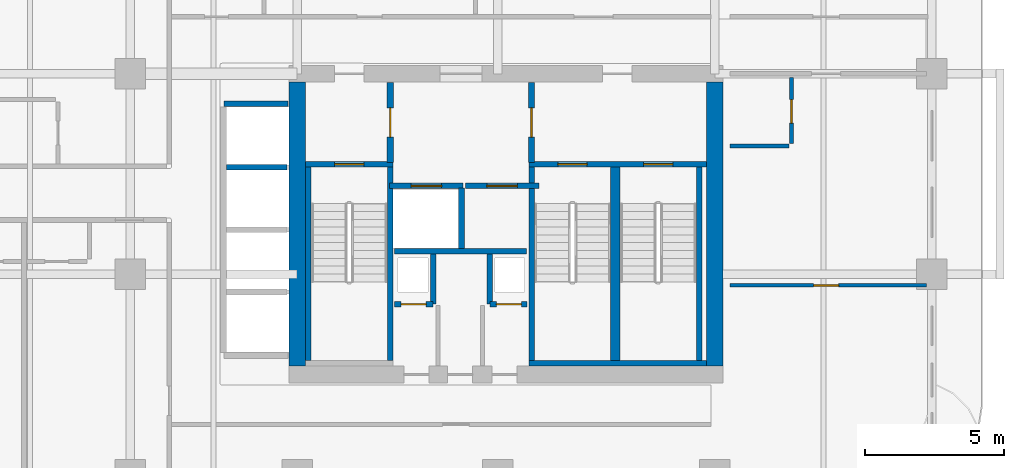
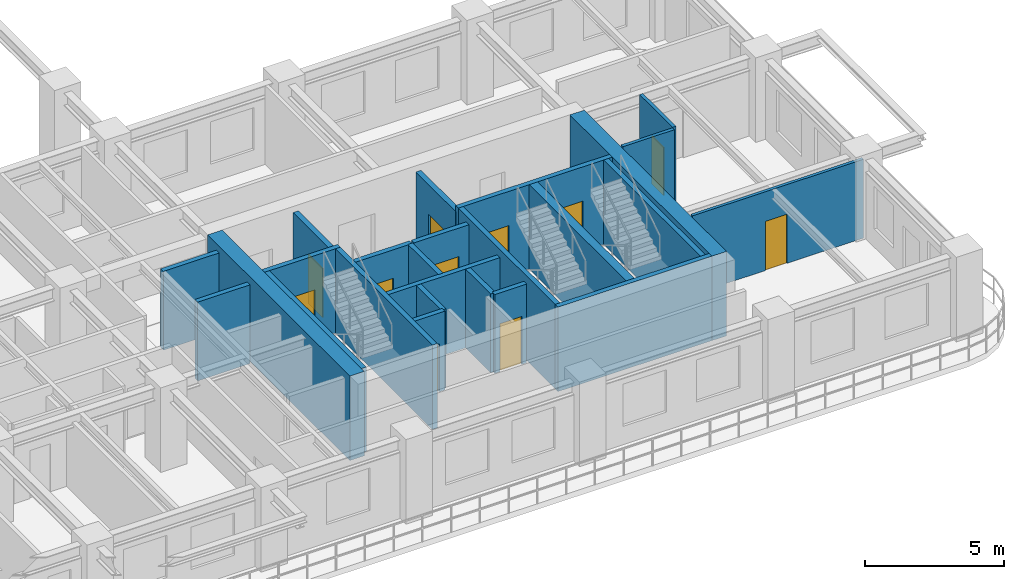
# One storey, part 8 of 18: 25 walls, 11 doors, 11 openings.
"""IFC4 building model written with IfcOpenShell, lengths in metres."""

from ifc_helpers import new_model, si_unit, derived_unit, direction, frame, frame_2d, origin, place, context, subcontext, project, spatial, rectangle, extrude, source, transform, mapped, material, layer, layer_set, type_object, type_shapes, element, fill, save


model = new_model("IFC4")

# Units and contexts
model_context = context("Model", 3, precision=1e-05, world=origin(), true_north=direction((0.0, 1.0)))
body_context = subcontext(model_context, "Body", "Model", "MODEL_VIEW")
ifc_project = project(units=[si_unit("LENGTHUNIT", "METRE"), si_unit("AREAUNIT", "SQUARE_METRE"), si_unit("VOLUMEUNIT", "CUBIC_METRE"), si_unit("PLANEANGLEUNIT", "RADIAN"), si_unit("MASSUNIT", "GRAM", prefix="KILO"), si_unit("THERMODYNAMICTEMPERATUREUNIT", "KELVIN"), si_unit("POWERUNIT", "WATT"), derived_unit("THERMALTRANSMITTANCEUNIT", [(si_unit("POWERUNIT", "WATT"), 1), (si_unit("AREAUNIT", "SQUARE_METRE"), -1), (si_unit("THERMODYNAMICTEMPERATUREUNIT", "KELVIN"), -1)])], contexts=[model_context])

# Site, building, storey
site_placement = place(None, origin())
site = spatial("IfcSite", under=ifc_project, at=site_placement, CompositionType="ELEMENT")
building_placement = place(site_placement, origin())
building = spatial("IfcBuilding", under=site, at=building_placement, Name="Zahravan Archway Hotel and Residences", CompositionType="ELEMENT")
storey_placement = place(building_placement, frame((0.0, 0.0, 36.10009765625)))
storey = spatial("IfcBuildingStorey", under=building, at=storey_placement, Name="L07", CompositionType="ELEMENT", Elevation=36.10009765625)

# Walls
ifc_material_1 = material(Name="Concrete C70/85", Category="concrete")
ifc_layer_1 = layer(ifc_material_1, 0.60009765625, Name="Concrete C70/85", Category="concrete")
ifc_layer_set_1 = layer_set([ifc_layer_1], Name="Concrete C70/85")
wall_type_1 = type_object("IfcWallType", Name="CW-CORE-600", PredefinedType="SHEAR", material=ifc_layer_set_1)
for number, where, z_axis, x_axis, name in (
    (1, (34.800048828125, 3.89990234375, 0.0), (0.0, 0.0, 1.0), (0.0, 1.0, 0.0), "L07 Core A Shear W Wall 600 mm"),
    (2, (49.800048828125, 3.89990234375, 0.0), (0.0, 0.0, 1.0), (0.0, 1.0, 0.0), "L07 Core A Shear E Wall 600 mm"),
):
    element("IfcWall", number, at=place(storey_placement, frame(where, z_axis=z_axis, x_axis=x_axis)), inside=storey, type_object=wall_type_1, Name=name, PredefinedType="SHEAR", context=body_context, shape_type="SweptSolid", body=[
        extrude(rectangle(XDim=10.2001953125, YDim=0.60009765625, at=frame_2d((5.10009765625, 0.0))), origin(), (0.0, 0.0, 1.0), 3.699951171875),
    ])

# Wall, opening, door
ifc_material_2 = material(Name="Fire-Rated Gypsum & Concrete Block", Category="concrete")
ifc_layer_2 = layer(ifc_material_2, 0.219970703125, Name="Fire-Rated Gypsum & Concrete Block", Category="concrete")
ifc_layer_set_2 = layer_set([ifc_layer_2], Name="Fire-Rated Gypsum & Concrete Block")
wall_type_2 = type_object("IfcWallType", Name="PW-COMP-220", PredefinedType="PARTITIONING", material=ifc_layer_set_2)
wall_1_placement = place(storey_placement, frame((38.139892578125, 11.219970703125, 0.0), z_axis=(0.0, 0.0, 1.0), x_axis=(0.0, 1.0, 0.0)))
wall_1 = element("IfcWall", 3, at=wall_1_placement, inside=storey, type_object=wall_type_2, Name="L07 Partition CA-LOBW", PredefinedType="PARTITIONING", context=body_context, shape_type="SweptSolid", body=[
    extrude(rectangle(XDim=2.860107421875, YDim=0.219970703125, at=frame_2d((1.43017578125, 0.0))), origin(), (0.0, 0.0, 1.0), 3.449951171875),
])
opening_1_placement = place(wall_1_placement, frame((0.905029296875, 0.0, 0.0)))
opening_1 = element("IfcOpeningElement", 4, at=opening_1_placement, cuts=wall_1, Name="Opening FD-L2", PredefinedType="OPENING", context=body_context, shape_type="SweptSolid", body=[
    extrude(rectangle(XDim=1.050048828125, YDim=2.14990234375, at=frame_2d((0.52490234375, 1.074951171875))), frame((0.0, 0.1201171875, 0.0), z_axis=(0.0, -1.0, 0.0), x_axis=(1.0, 0.0, 0.0)), (0.0, 0.0, 1.0), 0.239990234375),
])
ifc_material_3 = material(Name="Fire-Rated Painted Steel", Category="steel")
door_type_1 = type_object("IfcDoorType", Name="FD-LOBBY-1100", OperationType="NOTDEFINED", PredefinedType="DOOR", material=ifc_material_3)
shared_shape_1 = source(origin(), body_context, "Body", "SweptSolid", [
    extrude(rectangle(XDim=1.050048828125, YDim=2.14990234375, at=frame_2d((0.52490234375, 1.074951171875))), frame((0.0, 0.02490234375, 0.0), z_axis=(0.0, -1.0, 0.0), x_axis=(1.0, 0.0, 0.0)), (0.0, 0.0, 1.0), 0.050048828125),
])
type_shapes(door_type_1, [shared_shape_1])
door_1_placement = place(opening_1_placement, origin())
door_1 = element("IfcDoor", 5, at=door_1_placement, inside=storey, type_object=door_type_1, Name="L07 Core A West Stair to FSAE Lobby Door", OperationType="SINGLE_SWING_LEFT", OverallHeight=2.14990234375, OverallWidth=1.050048828125, PredefinedType="DOOR", context=body_context, shape_type="MappedRepresentation", body=[
    mapped(shared_shape_1, transform((0.0, 0.0, 0.0), scale=1.0)),
])
fill(opening_1, door_1)

wall_2_placement = place(storey_placement, frame((43.219970703125, 11.219970703125, 0.0), z_axis=(0.0, 0.0, 1.0), x_axis=(0.0, 1.0, 0.0)))
wall_2 = element("IfcWall", 6, at=wall_2_placement, inside=storey, type_object=wall_type_2, Name="L07 Partition CA-LOBE", PredefinedType="PARTITIONING", context=body_context, shape_type="SweptSolid", body=[
    extrude(rectangle(XDim=2.860107421875, YDim=0.219970703125, at=frame_2d((1.43017578125, 0.0))), origin(), (0.0, 0.0, 1.0), 3.449951171875),
])
opening_2_placement = place(wall_2_placement, frame((0.905029296875, 0.0, 0.0)))
opening_2 = element("IfcOpeningElement", 7, at=opening_2_placement, cuts=wall_2, Name="Opening FD-L2", PredefinedType="OPENING", context=body_context, shape_type="SweptSolid", body=[
    extrude(rectangle(XDim=1.050048828125, YDim=2.14990234375, at=frame_2d((0.52490234375, 1.074951171875))), frame((0.0, 0.1201171875, 0.0), z_axis=(0.0, -1.0, 0.0), x_axis=(1.0, 0.0, 0.0)), (0.0, 0.0, 1.0), 0.239990234375),
])
door_2_placement = place(opening_2_placement, origin())
door_2 = element("IfcDoor", 8, at=door_2_placement, inside=storey, type_object=door_type_1, Name="L07 Core A East Stair to FSAE Lobby Door", OperationType="SINGLE_SWING_RIGHT", OverallHeight=2.14990234375, OverallWidth=1.050048828125, PredefinedType="DOOR", context=body_context, shape_type="MappedRepresentation", body=[
    mapped(shared_shape_1, transform((0.0, 0.0, 0.0), scale=1.0)),
])
fill(opening_2, door_2)

ifc_material_4 = material(Name="Acoustic Stud Partition")
ifc_layer_3 = layer(ifc_material_4, 0.125, Name="Acoustic Stud Partition")
ifc_layer_set_3 = layer_set([ifc_layer_3], Name="Acoustic Stud Partition")
wall_type_3 = type_object("IfcWallType", Name="PW-INT-125", PredefinedType="PARTITIONING", material=ifc_layer_set_3)
wall_3_placement = place(storey_placement, frame((50.340087890625, 6.800048828125, 0.0), z_axis=(0.0, 0.0, 1.0), x_axis=(1.0, 0.0, 0.0)))
wall_3 = element("IfcWall", 9, at=wall_3_placement, inside=storey, type_object=wall_type_3, Name="L07 Partition EA-PM", PredefinedType="PARTITIONING", context=body_context, shape_type="SweptSolid", body=[
    extrude(rectangle(XDim=7.06982421875, YDim=0.125, at=frame_2d((3.534912109375, 0.0))), origin(), (0.0, 0.0, 1.0), 3.449951171875),
])
opening_3_placement = place(wall_3_placement, frame((3.010009765625, 0.0, 0.0)))
opening_3 = element("IfcOpeningElement", 10, at=opening_3_placement, cuts=wall_3, Name="Opening D-I2", PredefinedType="OPENING", context=body_context, shape_type="SweptSolid", body=[
    extrude(rectangle(XDim=0.89990234375, YDim=2.14990234375, at=frame_2d((0.449951171875, 1.074951171875))), frame((0.0, 0.072509765625, 0.0), z_axis=(0.0, -1.0, 0.0), x_axis=(1.0, 0.0, 0.0)), (0.0, 0.0, 1.0), 0.14501953125),
])
ifc_material_5 = material(Name="Hardwood Veneer Timber", Category="wood")
door_type_2 = type_object("IfcDoorType", Name="ID-INT-900", OperationType="NOTDEFINED", PredefinedType="DOOR", material=ifc_material_5)
shared_shape_2 = source(origin(), body_context, "Body", "SweptSolid", [
    extrude(rectangle(XDim=0.89990234375, YDim=2.14990234375, at=frame_2d((0.449951171875, 1.074951171875))), frame((0.0, 0.02490234375, 0.0), z_axis=(0.0, -1.0, 0.0), x_axis=(1.0, 0.0, 0.0)), (0.0, 0.0, 1.0), 0.050048828125),
])
type_shapes(door_type_2, [shared_shape_2])
door_3_placement = place(opening_3_placement, origin())
door_3 = element("IfcDoor", 11, at=door_3_placement, inside=storey, type_object=door_type_2, Name="L07 East Suite Bedroom Door", OperationType="SINGLE_SWING_RIGHT", OverallHeight=2.14990234375, OverallWidth=0.89990234375, PredefinedType="DOOR", context=body_context, shape_type="MappedRepresentation", body=[
    mapped(shared_shape_2, transform((0.0, 0.0, 0.0), scale=1.0)),
])
fill(opening_3, door_3)

# Walls
ifc_layer_4 = layer(ifc_material_2, 0.199951171875, Name="Fire-Rated Gypsum & Concrete Block", Category="concrete")
ifc_layer_set_4 = layer_set([ifc_layer_4], Name="Fire-Rated Gypsum & Concrete Block")
wall_type_4 = type_object("IfcWallType", Name="PW-SHAFT-200", PredefinedType="PARTITIONING", material=ifc_layer_set_4)
wall_4_placement = place(storey_placement, frame((38.300048828125, 8.030029296875, 0.0), z_axis=(0.0, 0.0, 1.0), x_axis=(1.0, 0.0, 0.0)))
element("IfcWall", 12, at=wall_4_placement, inside=storey, type_object=wall_type_4, Name="L07 Partition CA-FLS", PredefinedType="PARTITIONING", context=body_context, shape_type="SweptSolid", body=[
    extrude(rectangle(XDim=4.739990234375, YDim=0.199951171875, at=frame_2d((2.3701171875, 0.0))), origin(), (0.0, 0.0, 1.0), 3.449951171875),
])
wall_5_placement = place(storey_placement, frame((40.699951171875, 8.1201171875, 0.0), z_axis=(0.0, 0.0, 1.0), x_axis=(0.0, 1.0, 0.0)))
element("IfcWall", 13, at=wall_5_placement, inside=storey, type_object=wall_type_4, Name="L07 Partition CA-FLM", PredefinedType="PARTITIONING", context=body_context, shape_type="SweptSolid", body=[
    extrude(rectangle(XDim=2.179931640625, YDim=0.199951171875, at=frame_2d((1.08984375, 0.0))), origin(), (0.0, 0.0, 1.0), 3.449951171875),
])

# Wall, opening, door
wall_6_placement = place(storey_placement, frame((38.2900390625, 6.1201171875, 0.0), z_axis=(0.0, 0.0, 1.0), x_axis=(1.0, 0.0, 0.0)))
wall_6 = element("IfcWall", 14, at=wall_6_placement, inside=storey, type_object=wall_type_4, Name="L07 Partition CA-SMKS", PredefinedType="PARTITIONING", context=body_context, shape_type="SweptSolid", body=[
    extrude(rectangle(XDim=1.3798828125, YDim=0.199951171875, at=frame_2d((0.68994140625, 0.0))), origin(), (0.0, 0.0, 1.0), 3.449951171875),
])
opening_4_placement = place(wall_6_placement, frame((0.239990234375, 0.0, 0.0)))
opening_4 = element("IfcOpeningElement", 15, at=opening_4_placement, cuts=wall_6, Name="Opening FD-R1", PredefinedType="OPENING", context=body_context, shape_type="SweptSolid", body=[
    extrude(rectangle(XDim=0.89990234375, YDim=2.10009765625, at=frame_2d((0.449951171875, 1.050048828125))), frame((0.0, 0.10986328125, 0.0), z_axis=(0.0, -1.0, 0.0), x_axis=(1.0, 0.0, 0.0)), (0.0, 0.0, 1.0), 0.219970703125),
])
door_type_3 = type_object("IfcDoorType", Name="FD-RISER-900", OperationType="NOTDEFINED", PredefinedType="DOOR", material=ifc_material_3)
shared_shape_3 = source(origin(), body_context, "Body", "SweptSolid", [
    extrude(rectangle(XDim=0.89990234375, YDim=2.10009765625, at=frame_2d((0.449951171875, 1.050048828125))), frame((0.0, 0.02490234375, 0.0), z_axis=(0.0, -1.0, 0.0), x_axis=(1.0, 0.0, 0.0)), (0.0, 0.0, 1.0), 0.050048828125),
])
type_shapes(door_type_3, [shared_shape_3])
door_4_placement = place(opening_4_placement, origin())
door_4 = element("IfcDoor", 16, at=door_4_placement, inside=storey, type_object=door_type_3, Name="L07 Smoke Riser Access Door", OperationType="SINGLE_SWING_LEFT", OverallHeight=2.10009765625, OverallWidth=0.89990234375, PredefinedType="DOOR", context=body_context, shape_type="MappedRepresentation", body=[
    mapped(shared_shape_3, transform((0.0, 0.0, 0.0), scale=1.0)),
])
fill(opening_4, door_4)

# Wall
wall_7_placement = place(storey_placement, frame((39.679931640625, 6.1298828125, 0.0), z_axis=(0.0, 0.0, 1.0), x_axis=(0.0, 1.0, 0.0)))
element("IfcWall", 17, at=wall_7_placement, inside=storey, type_object=wall_type_4, Name="L07 Partition CA-SMKE", PredefinedType="PARTITIONING", context=body_context, shape_type="SweptSolid", body=[
    extrude(rectangle(XDim=1.7900390625, YDim=0.199951171875, at=frame_2d((0.89501953125, 0.0))), origin(), (0.0, 0.0, 1.0), 3.449951171875),
])

# Wall, opening, door
wall_8_placement = place(storey_placement, frame((41.72998046875, 6.1201171875, 0.0), z_axis=(0.0, 0.0, 1.0), x_axis=(1.0, 0.0, 0.0)))
wall_8 = element("IfcWall", 18, at=wall_8_placement, inside=storey, type_object=wall_type_4, Name="L07 Partition CA-MEPS", PredefinedType="PARTITIONING", context=body_context, shape_type="SweptSolid", body=[
    extrude(rectangle(XDim=1.320068359375, YDim=0.199951171875, at=frame_2d((0.66015625, 0.0))), origin(), (0.0, 0.0, 1.0), 3.449951171875),
])
opening_5_placement = place(wall_8_placement, frame((0.219970703125, 0.0, 0.0)))
opening_5 = element("IfcOpeningElement", 19, at=opening_5_placement, cuts=wall_8, Name="Opening FD-R1", PredefinedType="OPENING", context=body_context, shape_type="SweptSolid", body=[
    extrude(rectangle(XDim=0.89990234375, YDim=2.10009765625, at=frame_2d((0.449951171875, 1.050048828125))), frame((0.0, 0.10986328125, 0.0), z_axis=(0.0, -1.0, 0.0), x_axis=(1.0, 0.0, 0.0)), (0.0, 0.0, 1.0), 0.219970703125),
])
door_5_placement = place(opening_5_placement, origin())
door_5 = element("IfcDoor", 20, at=door_5_placement, inside=storey, type_object=door_type_3, Name="L07 MEP Riser Access Door", OperationType="SINGLE_SWING_RIGHT", OverallHeight=2.10009765625, OverallWidth=0.89990234375, PredefinedType="DOOR", context=body_context, shape_type="MappedRepresentation", body=[
    mapped(shared_shape_3, transform((0.0, 0.0, 0.0), scale=1.0)),
])
fill(opening_5, door_5)

# Walls
wall_9_placement = place(storey_placement, frame((41.719970703125, 6.1298828125, 0.0), z_axis=(0.0, 0.0, 1.0), x_axis=(0.0, 1.0, 0.0)))
element("IfcWall", 21, at=wall_9_placement, inside=storey, type_object=wall_type_4, Name="L07 Partition CA-MEPW", PredefinedType="PARTITIONING", context=body_context, shape_type="SweptSolid", body=[
    extrude(rectangle(XDim=1.7900390625, YDim=0.199951171875, at=frame_2d((0.89501953125, 0.0))), origin(), (0.0, 0.0, 1.0), 3.449951171875),
])
wall_10_placement = place(storey_placement, frame((32.159912109375, 13.320068359375, 0.0), z_axis=(0.0, 0.0, 1.0), x_axis=(1.0, 0.0, 0.0)))
element("IfcWall", 22, at=wall_10_placement, inside=storey, type_object=wall_type_4, Name="L07 Partition B3-N", PredefinedType="PARTITIONING", context=body_context, shape_type="SweptSolid", body=[
    extrude(rectangle(XDim=2.31005859375, YDim=0.199951171875, at=frame_2d((1.155029296875, 0.0))), origin(), (0.0, 0.0, 1.0), 3.449951171875),
])
wall_11_placement = place(storey_placement, frame((32.260009765625, 11.0400390625, 0.0), z_axis=(0.0, 0.0, 1.0), x_axis=(1.0, 0.0, 0.0)))
element("IfcWall", 23, at=wall_11_placement, inside=storey, type_object=wall_type_4, Name="L07 Partition B3-D", PredefinedType="PARTITIONING", context=body_context, shape_type="SweptSolid", body=[
    extrude(rectangle(XDim=2.179931640625, YDim=0.199951171875, at=frame_2d((1.08984375, 0.0))), origin(), (0.0, 0.0, 1.0), 3.449951171875),
])

# Wall, opening, door
wall_12_placement = place(storey_placement, frame((38.1201171875, 10.3701171875, 0.0), z_axis=(0.0, 0.0, 1.0), x_axis=(1.0, 0.0, 0.0)))
wall_12 = element("IfcWall", 24, at=wall_12_placement, inside=storey, type_object=wall_type_4, Name="L07 Lift FL-1 Front Wall", PredefinedType="PARTITIONING", context=body_context, shape_type="SweptSolid", body=[
    extrude(rectangle(XDim=2.639892578125, YDim=0.199951171875, at=frame_2d((1.31982421875, 0.0))), origin(), (0.0, 0.0, 1.0), 3.449951171875),
])
opening_6_placement = place(wall_12_placement, frame((0.77001953125, 0.0, 0.0)))
opening_6 = element("IfcOpeningElement", 25, at=opening_6_placement, cuts=wall_12, Name="Opening LD", PredefinedType="OPENING", context=body_context, shape_type="SweptSolid", body=[
    extrude(rectangle(XDim=1.10009765625, YDim=2.199951171875, at=frame_2d((0.550048828125, 1.10009765625))), frame((0.0, 0.10986328125, 0.0), z_axis=(0.0, -1.0, 0.0), x_axis=(1.0, 0.0, 0.0)), (0.0, 0.0, 1.0), 0.219970703125),
])
ifc_material_6 = material(Name="Brushed Stainless Steel", Category="steel")
door_type_4 = type_object("IfcDoorType", Name="DR-LIFT-LD", OperationType="SLIDING_TO_LEFT", PredefinedType="DOOR", material=ifc_material_6)
shared_shape_4 = source(origin(), body_context, "Body", "SweptSolid", [
    extrude(rectangle(XDim=1.10009765625, YDim=2.199951171875, at=frame_2d((0.550048828125, 1.10009765625))), frame((0.0, 0.02490234375, 0.0), z_axis=(0.0, -1.0, 0.0), x_axis=(1.0, 0.0, 0.0)), (0.0, 0.0, 1.0), 0.050048828125),
])
type_shapes(door_type_4, [shared_shape_4])
door_6_placement = place(opening_6_placement, origin())
door_6 = element("IfcDoor", 26, at=door_6_placement, inside=storey, type_object=door_type_4, Name="L07 Lift FL-1 Sliding Landing Door", OperationType="SLIDING_TO_LEFT", OverallHeight=2.199951171875, OverallWidth=1.10009765625, PredefinedType="DOOR", context=body_context, shape_type="MappedRepresentation", body=[
    mapped(shared_shape_4, transform((0.0, 0.0, 0.0), scale=1.0)),
])
fill(opening_6, door_6)

wall_13_placement = place(storey_placement, frame((40.840087890625, 10.3701171875, 0.0), z_axis=(0.0, 0.0, 1.0), x_axis=(1.0, 0.0, 0.0)))
wall_13 = element("IfcWall", 27, at=wall_13_placement, inside=storey, type_object=wall_type_4, Name="L07 Lift FL-2 Front Wall", PredefinedType="PARTITIONING", context=body_context, shape_type="SweptSolid", body=[
    extrude(rectangle(XDim=2.639892578125, YDim=0.199951171875, at=frame_2d((1.31982421875, 0.0))), origin(), (0.0, 0.0, 1.0), 3.449951171875),
])
opening_7_placement = place(wall_13_placement, frame((0.77001953125, 0.0, 0.0)))
opening_7 = element("IfcOpeningElement", 28, at=opening_7_placement, cuts=wall_13, Name="Opening LD", PredefinedType="OPENING", context=body_context, shape_type="SweptSolid", body=[
    extrude(rectangle(XDim=1.10009765625, YDim=2.199951171875, at=frame_2d((0.550048828125, 1.10009765625))), frame((0.0, 0.10986328125, 0.0), z_axis=(0.0, -1.0, 0.0), x_axis=(1.0, 0.0, 0.0)), (0.0, 0.0, 1.0), 0.219970703125),
])
door_7_placement = place(opening_7_placement, origin())
door_7 = element("IfcDoor", 29, at=door_7_placement, inside=storey, type_object=door_type_4, Name="L07 Lift FL-2 Sliding Landing Door", OperationType="SLIDING_TO_LEFT", OverallHeight=2.199951171875, OverallWidth=1.10009765625, PredefinedType="DOOR", context=body_context, shape_type="MappedRepresentation", body=[
    mapped(shared_shape_4, transform((0.0, 0.0, 0.0), scale=1.0)),
])
fill(opening_7, door_7)

ifc_material_7 = material(Name="Moisture-Resistant Blockwork", Category="masonry")
ifc_layer_5 = layer(ifc_material_7, 0.139892578125, Name="Moisture-Resistant Blockwork", Category="masonry")
ifc_layer_set_5 = layer_set([ifc_layer_5], Name="Moisture-Resistant Blockwork")
wall_type_5 = type_object("IfcWallType", Name="PW-WET-140", PredefinedType="PARTITIONING", material=ifc_layer_set_5)
wall_14_placement = place(storey_placement, frame((52.550048828125, 11.889892578125, 0.0), z_axis=(0.0, 0.0, 1.0), x_axis=(0.0, 1.0, 0.0)))
wall_14 = element("IfcWall", 30, at=wall_14_placement, inside=storey, type_object=wall_type_5, Name="L07 Partition EA-PBV", PredefinedType="PARTITIONING", context=body_context, shape_type="SweptSolid", body=[
    extrude(rectangle(XDim=2.3701171875, YDim=0.139892578125, at=frame_2d((1.18505859375, 0.0))), origin(), (0.0, 0.0, 1.0), 3.449951171875),
])
opening_8_placement = place(wall_14_placement, frame((0.735107421875, 0.0, 0.0)))
opening_8 = element("IfcOpeningElement", 31, at=opening_8_placement, cuts=wall_14, Name="Opening D-B1", PredefinedType="OPENING", context=body_context, shape_type="SweptSolid", body=[
    extrude(rectangle(XDim=0.85009765625, YDim=2.10009765625, at=frame_2d((0.425048828125, 1.050048828125))), frame((0.0, 0.080078125, 0.0), z_axis=(0.0, -1.0, 0.0), x_axis=(1.0, 0.0, 0.0)), (0.0, 0.0, 1.0), 0.159912109375),
])
door_type_5 = type_object("IfcDoorType", Name="ID-BATH-850", OperationType="NOTDEFINED", PredefinedType="DOOR", material=ifc_material_5)
shared_shape_5 = source(origin(), body_context, "Body", "SweptSolid", [
    extrude(rectangle(XDim=0.85009765625, YDim=2.10009765625, at=frame_2d((0.425048828125, 1.050048828125))), frame((0.0, 0.02490234375, 0.0), z_axis=(0.0, -1.0, 0.0), x_axis=(1.0, 0.0, 0.0)), (0.0, 0.0, 1.0), 0.050048828125),
])
type_shapes(door_type_5, [shared_shape_5])
door_8_placement = place(opening_8_placement, origin())
door_8 = element("IfcDoor", 32, at=door_8_placement, inside=storey, type_object=door_type_5, Name="L07 East Suite En-Suite Door", OperationType="SINGLE_SWING_LEFT", OverallHeight=2.10009765625, OverallWidth=0.85009765625, PredefinedType="DOOR", context=body_context, shape_type="MappedRepresentation", body=[
    mapped(shared_shape_5, transform((0.0, 0.0, 0.0), scale=1.0)),
])
fill(opening_8, door_8)

# Walls
wall_15_placement = place(storey_placement, frame((50.340087890625, 11.800048828125, 0.0), z_axis=(0.0, 0.0, 1.0), x_axis=(1.0, 0.0, 0.0)))
element("IfcWall", 33, at=wall_15_placement, inside=storey, type_object=wall_type_5, Name="L07 Partition EA-PBH", PredefinedType="PARTITIONING", context=body_context, shape_type="SweptSolid", body=[
    extrude(rectangle(XDim=2.119873046875, YDim=0.139892578125, at=frame_2d((1.06005859375, 0.0))), origin(), (0.0, 0.0, 1.0), 3.449951171875),
])
ifc_material_8 = material(Name="Concrete C50/60", Category="concrete")
ifc_layer_6 = layer(ifc_material_8, 0.199951171875, Name="Concrete C50/60", Category="concrete")
ifc_layer_set_6 = layer_set([ifc_layer_6], Name="Concrete C50/60")
wall_type_6 = type_object("IfcWallType", Name="SW-STAIR-200", PredefinedType="SHEAR", material=ifc_layer_set_6)
for number, where, z_axis, x_axis, name in (
    (34, (35.199951171875, 4.10009765625, 0.0), (0.0, 0.0, 1.0), (0.0, 1.0, 0.0), "L07 Stairwell RC Wall CA-SA1W"),
    (35, (38.139892578125, 4.10009765625, 0.0), (0.0, 0.0, 1.0), (0.0, 1.0, 0.0), "L07 Stairwell RC Wall CA-SA1E"),
):
    element("IfcWall", number, at=place(storey_placement, frame(where, z_axis=z_axis, x_axis=x_axis)), inside=storey, type_object=wall_type_6, Name=name, PredefinedType="SHEAR", context=body_context, shape_type="SweptSolid", body=[
        extrude(rectangle(XDim=6.949951171875, YDim=0.199951171875, at=frame_2d((3.47509765625, 0.0))), origin(), (0.0, 0.0, 1.0), 3.699951171875),
    ])

# Wall, opening, door
wall_16_placement = place(storey_placement, frame((35.10009765625, 11.14990234375, 0.0), z_axis=(0.0, 0.0, 1.0), x_axis=(1.0, 0.0, 0.0)))
wall_16 = element("IfcWall", 36, at=wall_16_placement, inside=storey, type_object=wall_type_6, Name="L07 Stairwell RC Wall CA-SA1N", PredefinedType="SHEAR", context=body_context, shape_type="SweptSolid", body=[
    extrude(rectangle(XDim=3.139892578125, YDim=0.199951171875, at=frame_2d((1.56982421875, 0.0))), origin(), (0.0, 0.0, 1.0), 3.699951171875),
])
opening_9_placement = place(wall_16_placement, frame((1.044921875, 0.0, 0.0)))
opening_9 = element("IfcOpeningElement", 37, at=opening_9_placement, cuts=wall_16, Name="Opening FD-S1", PredefinedType="OPENING", context=body_context, shape_type="SweptSolid", body=[
    extrude(rectangle(XDim=1.050048828125, YDim=2.199951171875, at=frame_2d((0.52490234375, 1.10009765625))), frame((0.0, 0.10986328125, 0.0), z_axis=(0.0, -1.0, 0.0), x_axis=(1.0, 0.0, 0.0)), (0.0, 0.0, 1.0), 0.219970703125),
])
door_type_6 = type_object("IfcDoorType", Name="FD-STAIR-1100", OperationType="NOTDEFINED", PredefinedType="DOOR", material=ifc_material_3)
shared_shape_6 = source(origin(), body_context, "Body", "SweptSolid", [
    extrude(rectangle(XDim=1.050048828125, YDim=2.199951171875, at=frame_2d((0.52490234375, 1.10009765625))), frame((0.0, 0.02490234375, 0.0), z_axis=(0.0, -1.0, 0.0), x_axis=(1.0, 0.0, 0.0)), (0.0, 0.0, 1.0), 0.050048828125),
])
type_shapes(door_type_6, [shared_shape_6])
door_9_placement = place(opening_9_placement, origin())
door_9 = element("IfcDoor", 38, at=door_9_placement, inside=storey, type_object=door_type_6, Name="L07 Stair ST-A1 Door", OperationType="SINGLE_SWING_RIGHT", OverallHeight=2.199951171875, OverallWidth=1.050048828125, PredefinedType="DOOR", context=body_context, shape_type="MappedRepresentation", body=[
    mapped(shared_shape_6, transform((0.0, 0.0, 0.0), scale=1.0)),
])
fill(opening_9, door_9)

# Walls
wall_17_placement = place(storey_placement, frame((43.1201171875, 4.0, 0.0), z_axis=(0.0, 0.0, 1.0), x_axis=(1.0, 0.0, 0.0)))
element("IfcWall", 39, at=wall_17_placement, inside=storey, type_object=wall_type_6, Name="L07 Stairwell RC Wall CA-SA23S", PredefinedType="SHEAR", context=body_context, shape_type="SweptSolid", body=[
    extrude(rectangle(XDim=6.3798828125, YDim=0.199951171875, at=frame_2d((3.18994140625, 0.0))), origin(), (0.0, 0.0, 1.0), 3.699951171875),
])
for number, where, z_axis, x_axis, name in (
    (40, (43.219970703125, 4.10009765625, 0.0), (0.0, 0.0, 1.0), (0.0, 1.0, 0.0), "L07 Stairwell RC Wall CA-SA2W"),
    (41, (49.239990234375, 4.10009765625, 0.0), (0.0, 0.0, 1.0), (0.0, 1.0, 0.0), "L07 Stairwell RC Wall CA-SA3E"),
):
    element("IfcWall", number, at=place(storey_placement, frame(where, z_axis=z_axis, x_axis=x_axis)), inside=storey, type_object=wall_type_6, Name=name, PredefinedType="SHEAR", context=body_context, shape_type="SweptSolid", body=[
        extrude(rectangle(XDim=6.949951171875, YDim=0.199951171875, at=frame_2d((3.47509765625, 0.0))), origin(), (0.0, 0.0, 1.0), 3.699951171875),
    ])

# Wall, openings, doors
wall_18_placement = place(storey_placement, frame((43.1201171875, 11.14990234375, 0.0), z_axis=(0.0, 0.0, 1.0), x_axis=(1.0, 0.0, 0.0)))
wall_18 = element("IfcWall", 42, at=wall_18_placement, inside=storey, type_object=wall_type_6, Name="L07 Stairwell RC Wall CA-SA23N", PredefinedType="SHEAR", context=body_context, shape_type="SweptSolid", body=[
    extrude(rectangle(XDim=6.3798828125, YDim=0.199951171875, at=frame_2d((3.18994140625, 0.0))), origin(), (0.0, 0.0, 1.0), 3.699951171875),
])
opening_10_placement = place(wall_18_placement, frame((1.044921875, 0.0, 0.0)))
opening_10 = element("IfcOpeningElement", 43, at=opening_10_placement, cuts=wall_18, Name="Opening FD-S1", PredefinedType="OPENING", context=body_context, shape_type="SweptSolid", body=[
    extrude(rectangle(XDim=1.050048828125, YDim=2.199951171875, at=frame_2d((0.52490234375, 1.10009765625))), frame((0.0, 0.10986328125, 0.0), z_axis=(0.0, -1.0, 0.0), x_axis=(1.0, 0.0, 0.0)), (0.0, 0.0, 1.0), 0.219970703125),
])
opening_11_placement = place(wall_18_placement, frame((4.125, 0.0, 0.0)))
opening_11 = element("IfcOpeningElement", 44, at=opening_11_placement, cuts=wall_18, Name="Opening FD-S1", PredefinedType="OPENING", context=body_context, shape_type="SweptSolid", body=[
    extrude(rectangle(XDim=1.050048828125, YDim=2.199951171875, at=frame_2d((0.52490234375, 1.10009765625))), frame((0.0, 0.10986328125, 0.0), z_axis=(0.0, -1.0, 0.0), x_axis=(1.0, 0.0, 0.0)), (0.0, 0.0, 1.0), 0.219970703125),
])
door_10_placement = place(opening_10_placement, origin())
door_10 = element("IfcDoor", 45, at=door_10_placement, inside=storey, type_object=door_type_6, Name="L07 Stair ST-A2 Door", OperationType="SINGLE_SWING_LEFT", OverallHeight=2.199951171875, OverallWidth=1.050048828125, PredefinedType="DOOR", context=body_context, shape_type="MappedRepresentation", body=[
    mapped(shared_shape_6, transform((0.0, 0.0, 0.0), scale=1.0)),
])
fill(opening_10, door_10)
door_11_placement = place(opening_11_placement, origin())
door_11 = element("IfcDoor", 46, at=door_11_placement, inside=storey, type_object=door_type_6, Name="L07 Stair ST-A3 Door", OperationType="SINGLE_SWING_RIGHT", OverallHeight=2.199951171875, OverallWidth=1.050048828125, PredefinedType="DOOR", context=body_context, shape_type="MappedRepresentation", body=[
    mapped(shared_shape_6, transform((0.0, 0.0, 0.0), scale=1.0)),
])
fill(opening_11, door_11)

# Wall
ifc_layer_7 = layer(ifc_material_8, 0.340087890625, Name="Concrete C50/60", Category="concrete")
ifc_layer_set_7 = layer_set([ifc_layer_7], Name="Concrete C50/60")
wall_type_7 = type_object("IfcWallType", Name="SW-STAIR-340", PredefinedType="SHEAR", material=ifc_layer_set_7)
wall_19_placement = place(storey_placement, frame((46.22998046875, 4.10009765625, 0.0), z_axis=(0.0, 0.0, 1.0), x_axis=(0.0, 1.0, 0.0)))
element("IfcWall", 47, at=wall_19_placement, inside=storey, type_object=wall_type_7, Name="L07 Stairwell RC Wall CA-SA23M", PredefinedType="SHEAR", context=body_context, shape_type="SweptSolid", body=[
    extrude(rectangle(XDim=6.949951171875, YDim=0.340087890625, at=frame_2d((3.47509765625, 0.0))), origin(), (0.0, 0.0, 1.0), 3.699951171875),
])

save(model, "model.ifc")
